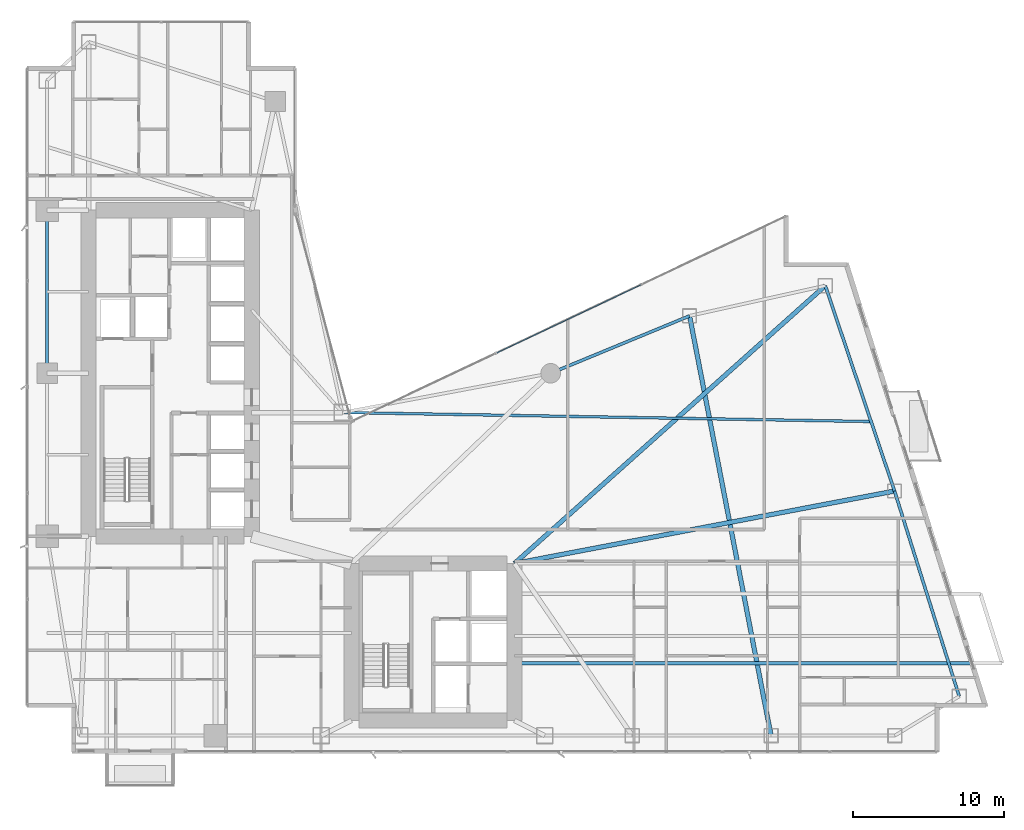
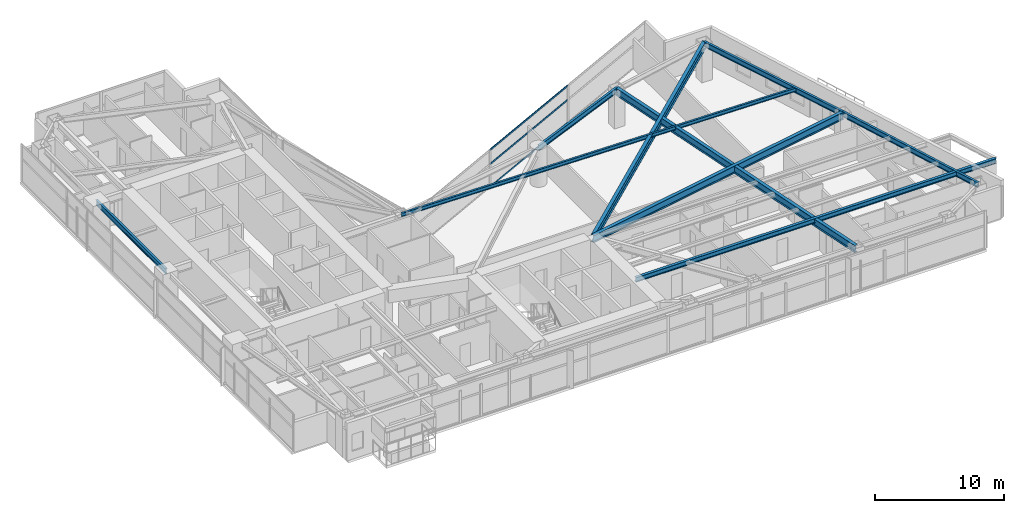
# One storey, part 15 of 29: 9 beams, 3 members, 1 element without a shape of its own.
"""IFC4 building model written with IfcOpenShell, lengths in metres."""

from ifc_helpers import new_model, si_unit, direction, frame, origin, origin_2d, place, context, subcontext, project, spatial, hollow_rectangle, i_section, extrude, material, layer, layer_set, material_profile, profile_set, type_object, element, aggregate, save


model = new_model("IFC4")

# Units and contexts
model_context = context("Model", 3, precision=1e-05, world=origin(), true_north=direction((0.0, 1.0)))
body_context = subcontext(model_context, "Body", "Model", "MODEL_VIEW")
ifc_project = project(units=[si_unit("LENGTHUNIT", "METRE"), si_unit("AREAUNIT", "SQUARE_METRE"), si_unit("VOLUMEUNIT", "CUBIC_METRE"), si_unit("PLANEANGLEUNIT", "RADIAN"), si_unit("MASSUNIT", "GRAM", prefix="KILO")], contexts=[model_context])

# Site, building, storey
site_placement = place(None, origin())
site = spatial("IfcSite", under=ifc_project, at=site_placement, CompositionType="ELEMENT")
building_placement = place(site_placement, origin())
building = spatial("IfcBuilding", under=site, at=building_placement, Name="Calvorn Quay Hotel", CompositionType="ELEMENT")
storey_placement = place(building_placement, frame((0.0, 0.0, 69.800048828125)))
storey = spatial("IfcBuildingStorey", under=building, at=storey_placement, Name="L16", CompositionType="ELEMENT", Elevation=69.800048828125)

# Beams
ifc_material_1 = material(Name="Steel Q355B", Category="steel")
ifc_material_profile_1 = material_profile(ifc_material_1, i_section(OverallWidth=0.25, OverallDepth=0.449951171875, WebThickness=0.011962890625, FlangeThickness=0.01611328125, FilletRadius=0.01611328125, at=origin_2d()), Name="HN450x250x12x16")
ifc_profile_set_1 = profile_set([ifc_material_profile_1], Name="Steel Q355B")
beam_type_1 = type_object("IfcBeamType", Name="BM-CANT-BALC", PredefinedType="BEAM", material=ifc_profile_set_1)
beam_1_placement = place(storey_placement, frame((32.39990234375, 8.39990234375, 3.31494140625), z_axis=(1.0, 0.0, 0.0), x_axis=(0.0, 1.0, 0.0)))
element("IfcBeam", 1, at=beam_1_placement, inside=storey, type_object=beam_type_1, Name="Cantilever Balcony Beam BCB-L17-1A", PredefinedType="BEAM", context=body_context, shape_type="SweptSolid", body=[
    extrude(i_section(OverallWidth=0.25, OverallDepth=0.449951171875, WebThickness=0.011962890625, FlangeThickness=0.01611328125, FilletRadius=0.01611328125, at=origin_2d()), origin(), (0.0, 0.0, 1.0), 32.30810546875),
])
ifc_material_2 = material(Name="Steel Q390GJC", Category="steel")
ifc_material_profile_2 = material_profile(ifc_material_2, i_section(OverallWidth=0.300048828125, OverallDepth=0.699951171875, WebThickness=0.012939453125, FlangeThickness=0.02392578125, FilletRadius=0.02392578125, at=origin_2d()), Name="HN700x300x13x24")
ifc_profile_set_2 = profile_set([ifc_material_profile_2], Name="Steel Q390GJC")
beam_type_2 = type_object("IfcBeamType", Name="BM-GIRD-MAIN", PredefinedType="BEAM", material=ifc_profile_set_2)
beam_2_placement = place(storey_placement, frame((32.39990234375, 15.0, 3.18994140625), z_axis=(0.982305450614, 0.18728588226, 0.0), x_axis=(-0.18728588226, 0.982305450614, 0.0)))
element("IfcBeam", 2, at=beam_2_placement, inside=storey, type_object=beam_type_2, Name="Beam BG-L16-E2", PredefinedType="BEAM", context=body_context, shape_type="SweptSolid", body=[
    extrude(i_section(OverallWidth=0.300048828125, OverallDepth=0.699951171875, WebThickness=0.012939453125, FlangeThickness=0.02392578125, FilletRadius=0.02392578125, at=origin_2d()), origin(), (0.0, 0.0, 1.0), 25.629638671875),
])
beam_3_placement = place(storey_placement, frame((32.39990234375, 15.0, 3.18994140625), z_axis=(0.745667316004, 0.666318432766, 0.0), x_axis=(-0.666318432766, 0.745667316004, 0.0)))
element("IfcBeam", 3, at=beam_3_placement, inside=storey, type_object=beam_type_2, Name="Beam BG-L16-E3", PredefinedType="BEAM", context=body_context, shape_type="SweptSolid", body=[
    extrude(i_section(OverallWidth=0.300048828125, OverallDepth=0.699951171875, WebThickness=0.012939453125, FlangeThickness=0.02392578125, FilletRadius=0.02392578125, at=origin_2d()), origin(), (0.0, 0.0, 1.0), 27.6142578125),
])
beam_4_placement = place(storey_placement, frame((49.39990234375, 3.60009765625, 3.18994140625), z_axis=(-0.190678596862, 0.981652521363, 0.0), x_axis=(-0.981652521363, -0.190678596862, 0.0)))
element("IfcBeam", 4, at=beam_4_placement, inside=storey, type_object=beam_type_2, Name="Beam BG-L16-E5", PredefinedType="BEAM", context=body_context, shape_type="SweptSolid", body=[
    extrude(i_section(OverallWidth=0.300048828125, OverallDepth=0.699951171875, WebThickness=0.012939453125, FlangeThickness=0.02392578125, FilletRadius=0.02392578125, at=origin_2d()), origin(), (0.0, 0.0, 1.0), 28.3193359375),
])
ifc_material_3 = material(Name="Steel Q355B", Category="steel")
ifc_material_profile_3 = material_profile(ifc_material_3, i_section(OverallWidth=0.175048828125, OverallDepth=0.35009765625, WebThickness=0.007080078125, FlangeThickness=0.010986328125, FilletRadius=0.013916015625, at=origin_2d()), Name="HN350x175x7x11")
ifc_profile_set_3 = profile_set([ifc_material_profile_3], Name="Steel Q355B")
beam_type_3 = type_object("IfcBeamType", Name="BM-JOIST-SEC", PredefinedType="JOIST", material=ifc_profile_set_3)
beam_5_placement = place(storey_placement, frame((21.0, 25.0, 3.364990234375), z_axis=(0.999854105858, -0.017081188436, 0.0), x_axis=(0.017081188436, 0.999854105858, 0.0)))
element("IfcBeam", 5, at=beam_5_placement, inside=storey, type_object=beam_type_3, Name="Beam BJ-L16-E3", PredefinedType="JOIST", context=body_context, shape_type="SweptSolid", body=[
    extrude(i_section(OverallWidth=0.175048828125, OverallDepth=0.35009765625, WebThickness=0.007080078125, FlangeThickness=0.010986328125, FilletRadius=0.013916015625, at=origin_2d()), origin(), (0.0, 0.0, 1.0), 35.132080078125),
])
ifc_material_4 = material(Name="Steel Q355B", Category="steel")
ifc_material_profile_4 = material_profile(ifc_material_4, i_section(OverallWidth=0.199951171875, OverallDepth=0.5, WebThickness=0.010009765625, FlangeThickness=0.01611328125, FilletRadius=0.01611328125, at=origin_2d()), Name="HN500x200x10x16")
ifc_profile_set_4 = profile_set([ifc_material_profile_4], Name="Steel Q355B")
beam_type_4 = type_object("IfcBeamType", Name="BM-SPANDREL-Z1", PredefinedType="SPANDREL", material=ifc_profile_set_4)
beam_6_placement = place(storey_placement, frame((1.449951171875, 27.60009765625, 3.2900390625), z_axis=(0.0, 1.0, 0.0), x_axis=(-1.0, 0.0, 0.0)))
element("IfcBeam", 6, at=beam_6_placement, inside=storey, type_object=beam_type_4, Name="Beam BSP-L16-W3", PredefinedType="SPANDREL", context=body_context, shape_type="SweptSolid", body=[
    extrude(i_section(OverallWidth=0.199951171875, OverallDepth=0.5, WebThickness=0.010009765625, FlangeThickness=0.01611328125, FilletRadius=0.01611328125, at=origin_2d()), origin(), (0.0, 0.0, 1.0), 10.7998046875),
])
beam_7_placement = place(storey_placement, frame((61.861083984375, 6.199951171875, 3.2900390625), z_axis=(-0.300518378216, 0.953776024208, 0.0), x_axis=(-0.953776024208, -0.300518378216, 0.0)))
element("IfcBeam", 7, at=beam_7_placement, inside=storey, type_object=beam_type_4, Name="Beam BSP-L16-E1", PredefinedType="SPANDREL", context=body_context, shape_type="SweptSolid", body=[
    extrude(i_section(OverallWidth=0.199951171875, OverallDepth=0.5, WebThickness=0.010009765625, FlangeThickness=0.01611328125, FilletRadius=0.01611328125, at=origin_2d()), origin(), (0.0, 0.0, 1.0), 14.25927734375),
])
beam_8_placement = place(storey_placement, frame((57.575927734375, 19.800048828125, 3.2900390625), z_axis=(-0.319466515944, 0.947597564998, 0.0), x_axis=(-0.947597564998, -0.319466515944, 0.0)))
element("IfcBeam", 8, at=beam_8_placement, inside=storey, type_object=beam_type_4, Name="Beam BSP-L16-E2", PredefinedType="SPANDREL", context=body_context, shape_type="SweptSolid", body=[
    extrude(i_section(OverallWidth=0.199951171875, OverallDepth=0.5, WebThickness=0.010009765625, FlangeThickness=0.01611328125, FilletRadius=0.01611328125, at=origin_2d()), origin(), (0.0, 0.0, 1.0), 14.35205078125),
])
beam_9_placement = place(storey_placement, frame((44.0, 31.39990234375, 3.2900390625), z_axis=(-0.92426763497, -0.381745123017, 0.0), x_axis=(0.381745123017, -0.92426763497, 0.0)))
element("IfcBeam", 9, at=beam_9_placement, inside=storey, type_object=beam_type_4, Name="Beam BSP-L16-E4", PredefinedType="SPANDREL", context=body_context, shape_type="SweptSolid", body=[
    extrude(i_section(OverallWidth=0.199951171875, OverallDepth=0.5, WebThickness=0.010009765625, FlangeThickness=0.01611328125, FilletRadius=0.01611328125, at=origin_2d()), origin(), (0.0, 0.0, 1.0), 9.953857421875),
])

# Curtain wall, members
ifc_material_5 = material(Name="Pale Anodised Aluminium and Low-E Glass", Category="aluminium")
ifc_layer = layer(ifc_material_5, 0.219970703125)
ifc_layer_set = layer_set([ifc_layer], Name="CW-SYS-Z1")
curtain_wall_type = type_object("IfcCurtainWallType", Name="CW-SYS-Z1", PredefinedType="NOTDEFINED", material=ifc_layer_set)
curtain_wall_placement = place(storey_placement, origin())
curtain_wall = element("IfcCurtainWall", 10, at=curtain_wall_placement, inside=storey, type_object=curtain_wall_type, Name="Inner Court Curtain Wall L16-NE1", PredefinedType="NOTDEFINED")
ifc_material_6 = material(Name="Pale Anodised Aluminium 6063-T6", Category="aluminium")
ifc_material_profile_5 = material_profile(ifc_material_6, hollow_rectangle(XDim=0.06494140625, YDim=0.1650390625, WallThickness=0.00341796875, at=origin_2d()), Name="ALU-T165x65x3.5")
ifc_profile_set_5 = profile_set([ifc_material_profile_5], Name="Pale Anodised Aluminium 6063-T6")
member_type = type_object("IfcMemberType", Name="CW-SYS-Z1-TRN", PredefinedType="USERDEFINED", material=ifc_profile_set_5)
member_1_placement = place(storey_placement, frame((40.77294921875, 33.453857421875, 0.030029296875), z_axis=(-0.904247654564, -0.427008406493, 0.0), x_axis=(0.427008406493, -0.904247654564, 0.0)))
member_1 = element("IfcMember", 11, at=member_1_placement, type_object=member_type, Name="CW-L16-NE1 transom 2.1", ObjectType="TRANSOM", PredefinedType="USERDEFINED", context=body_context, shape_type="SweptSolid", body=[
    extrude(hollow_rectangle(XDim=0.06494140625, YDim=0.1650390625, WallThickness=0.00341796875, at=origin_2d()), origin(), (0.0, 0.0, 1.0), 10.556640625),
])
member_2_placement = place(storey_placement, frame((40.77294921875, 33.453857421875, 2.199951171875), z_axis=(-0.904247654564, -0.427008406493, 0.0), x_axis=(0.427008406493, -0.904247654564, 0.0)))
member_2 = element("IfcMember", 12, at=member_2_placement, type_object=member_type, Name="CW-L16-NE1 transom 2.2", ObjectType="TRANSOM", PredefinedType="USERDEFINED", context=body_context, shape_type="SweptSolid", body=[
    extrude(hollow_rectangle(XDim=0.06494140625, YDim=0.1650390625, WallThickness=0.00341796875, at=origin_2d()), origin(), (0.0, 0.0, 1.0), 10.556640625),
])
member_3_placement = place(storey_placement, frame((40.77294921875, 33.453857421875, 3.530029296875), z_axis=(-0.904247654564, -0.427008406493, 0.0), x_axis=(0.427008406493, -0.904247654564, 0.0)))
member_3 = element("IfcMember", 13, at=member_3_placement, type_object=member_type, Name="CW-L16-NE1 transom 2.3", ObjectType="TRANSOM", PredefinedType="USERDEFINED", context=body_context, shape_type="SweptSolid", body=[
    extrude(hollow_rectangle(XDim=0.06494140625, YDim=0.1650390625, WallThickness=0.00341796875, at=origin_2d()), origin(), (0.0, 0.0, 1.0), 10.556640625),
])
aggregate(curtain_wall, [member_1, member_2, member_3])

save(model, "model.ifc")
